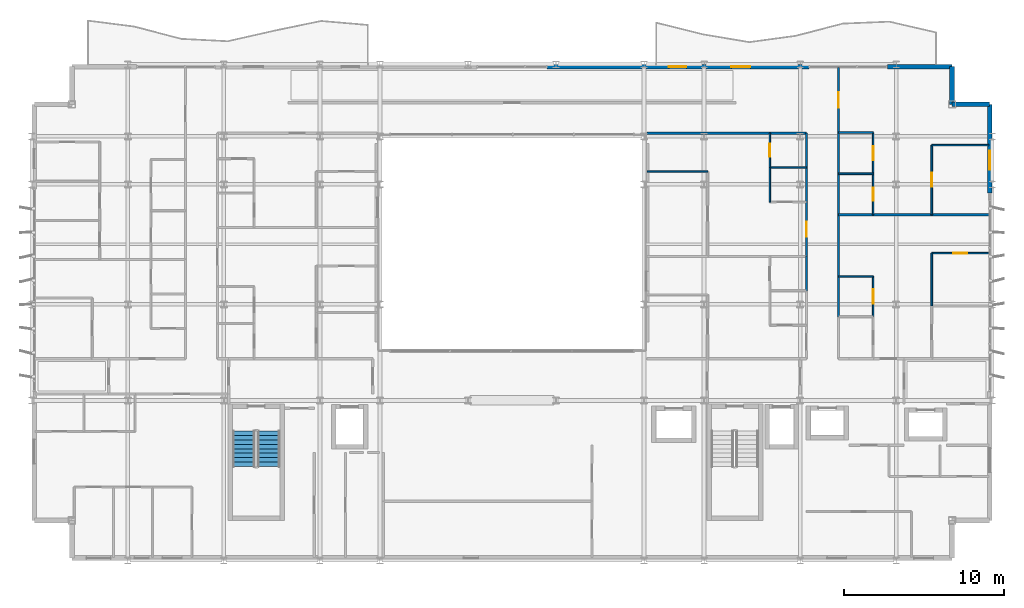
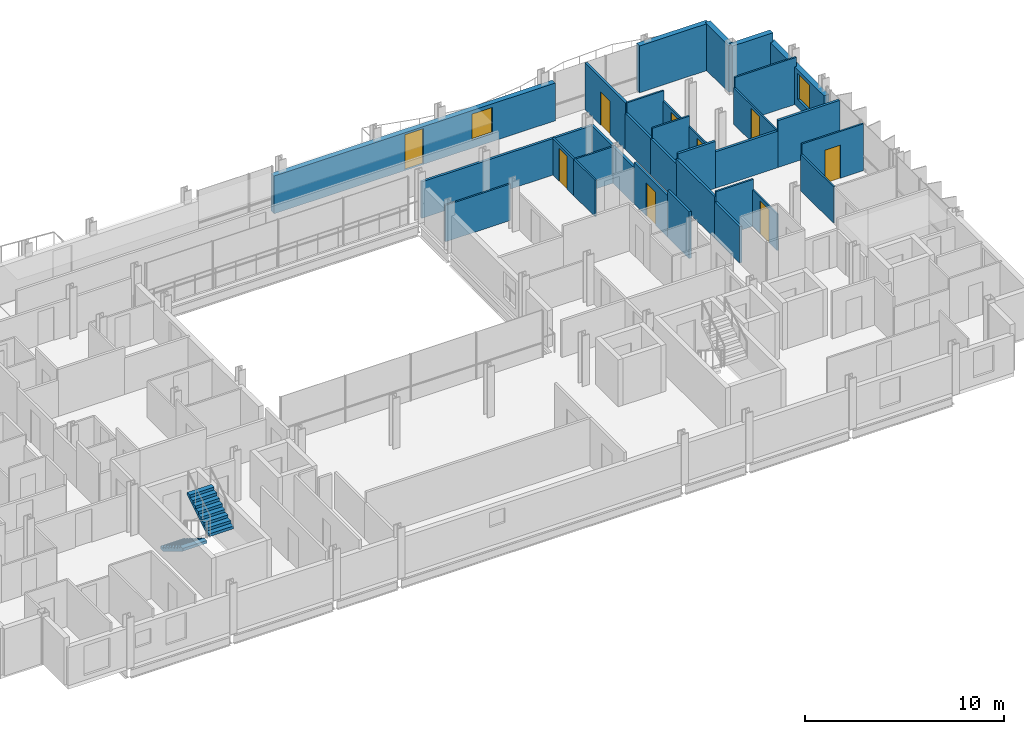
# One storey, part 32 of 38: 33 walls, 9 doors, 2 stair flights, 2 windows, 11 openings, 1 element without a shape of its own.
"""IFC4 building model written with IfcOpenShell, lengths in metres."""

from ifc_helpers import new_model, si_unit, direction, frame, frame_2d, origin, place, context, subcontext, project, spatial, polyline, rectangle, outline, extrude, material, layer, layer_set, type_object, element, fill, aggregate, save


model = new_model("IFC4")

# Units and contexts
model_context = context("Model", 3, precision=1e-05, world=origin(), true_north=direction((0.0, 1.0)))
body_context = subcontext(model_context, "Body", "Model", "MODEL_VIEW")
ifc_project = project(units=[si_unit("LENGTHUNIT", "METRE"), si_unit("AREAUNIT", "SQUARE_METRE"), si_unit("VOLUMEUNIT", "CUBIC_METRE"), si_unit("PLANEANGLEUNIT", "RADIAN"), si_unit("MASSUNIT", "GRAM", prefix="KILO")], contexts=[model_context])

# Site, building, storey
site_placement = place(None, origin())
site = spatial("IfcSite", under=ifc_project, at=site_placement, CompositionType="ELEMENT")
building_placement = place(site_placement, origin())
building = spatial("IfcBuilding", under=site, at=building_placement, Name="Brevholm Reach", CompositionType="ELEMENT")
storey_placement = place(building_placement, frame((0.0, 0.0, 128.300048828125)))
storey = spatial("IfcBuildingStorey", under=building, at=storey_placement, Name="L38", CompositionType="ELEMENT", Elevation=128.300048828125)

# Walls
ifc_material_1 = material(Name="Concrete C40/50", Category="concrete")
ifc_layer_1 = layer(ifc_material_1, 0.300048828125)
ifc_layer_set_1 = layer_set([ifc_layer_1], Name="Concrete C40/50")
wall_type_1 = type_object("IfcWallType", Name="WAL-EXT-300", PredefinedType="STANDARD", material=ifc_layer_set_1)
for number, where, z_axis, x_axis, name in (
    (1, (59.85009765625, 28.5, 0.0), (0.0, 0.0, 1.0), (-1.0, 0.0, 0.0), "L38 Facade Wall WAL-L38-CNE1"),
    (2, (57.5, 28.5, 0.0), (0.0, 0.0, 1.0), (0.0, 1.0, 0.0), "L38 Facade Wall WAL-L38-CNE2"),
):
    element("IfcWall", number, at=place(storey_placement, frame(where, z_axis=z_axis, x_axis=x_axis)), inside=storey, type_object=wall_type_1, Name=name, PredefinedType="STANDARD", context=body_context, shape_type="SweptSolid", body=[
        extrude(rectangle(XDim=2.35009765625, YDim=0.300048828125, at=frame_2d((1.175048828125, 0.0))), origin(), (0.0, 0.0, 1.0), 2.8798828125),
    ])

# Wall, opening, window
wall_1_placement = place(storey_placement, frame((59.85009765625, 22.949951171875, 0.0), z_axis=(0.0, 0.0, 1.0), x_axis=(0.0, 1.0, 0.0)))
wall_1 = element("IfcWall", 3, at=wall_1_placement, inside=storey, type_object=wall_type_1, Name="L38 Facade Wall WAL-L38-E-N", PredefinedType="STANDARD", context=body_context, shape_type="SweptSolid", body=[
    extrude(rectangle(XDim=5.550048828125, YDim=0.300048828125, at=frame_2d((2.77490234375, 0.0))), origin(), (0.0, 0.0, 1.0), 2.32177734375),
])
opening_1_placement = place(wall_1_placement, frame((1.449951171875, 0.0, 0.501953125)))
opening_1 = element("IfcOpeningElement", 4, at=opening_1_placement, cuts=wall_1, Name="Opening WN-08", PredefinedType="OPENING", context=body_context, shape_type="SweptSolid", body=[
    extrude(rectangle(XDim=1.199951171875, YDim=1.60009765625, at=frame_2d((0.60009765625, 0.800048828125))), frame((0.0, 0.159912109375, 0.0), z_axis=(0.0, -1.0, 0.0), x_axis=(1.0, 0.0, 0.0)), (0.0, 0.0, 1.0), 0.320068359375),
])
ifc_material_2 = material(Name="Dark Anodised Aluminium and Solar-Control IGU Glass", Category="aluminium")
window_type = type_object("IfcWindowType", Name="WIN-RES-1200", PartitioningType="SINGLE_PANEL", PredefinedType="WINDOW", material=ifc_material_2)
window_1_placement = place(opening_1_placement, origin())
window_1 = element("IfcWindow", 5, at=window_1_placement, inside=storey, type_object=window_type, Name="L38 Window WIN-L38-EN-1", OverallHeight=1.60009765625, OverallWidth=1.199951171875, PartitioningType="SINGLE_PANEL", PredefinedType="WINDOW", context=body_context, shape_type="SweptSolid", body=[
    extrude(rectangle(XDim=1.199951171875, YDim=1.60009765625, at=frame_2d((0.60009765625, 0.800048828125))), frame((0.0, 0.030029296875, 0.0), z_axis=(0.0, -1.0, 0.0), x_axis=(1.0, 0.0, 0.0)), (0.0, 0.0, 1.0), 0.06005859375),
])
fill(opening_1, window_1)

# Wall
wall_2_placement = place(storey_placement, frame((53.449951171875, 30.85009765625, 0.0), z_axis=(0.0, 0.0, 1.0), x_axis=(1.0, 0.0, 0.0)))
element("IfcWall", 6, at=wall_2_placement, inside=storey, type_object=wall_type_1, Name="L38 Facade Wall WAL-L38-NP-E0", PredefinedType="STANDARD", context=body_context, shape_type="SweptSolid", body=[
    extrude(rectangle(XDim=4.050048828125, YDim=0.300048828125, at=frame_2d((2.02490234375, 0.0))), origin(), (0.0, 0.0, 1.0), 2.8798828125),
])

# Wall, openings, door, window
wall_3_placement = place(storey_placement, frame((32.199951171875, 30.85009765625, 0.0), z_axis=(0.0, 0.0, 1.0), x_axis=(1.0, 0.0, 0.0)))
wall_3 = element("IfcWall", 7, at=wall_3_placement, inside=storey, type_object=wall_type_1, Name="L38 Facade Wall WAL-L38-NP-ER", PredefinedType="STANDARD", context=body_context, shape_type="SweptSolid", body=[
    extrude(rectangle(XDim=16.35009765625, YDim=0.300048828125, at=frame_2d((8.175048828125, 0.0))), origin(), (0.0, 0.0, 1.0), 2.32177734375),
])
opening_2_placement = place(wall_3_placement, frame((7.60009765625, 0.0, 0.0)))
opening_2 = element("IfcOpeningElement", 8, at=opening_2_placement, cuts=wall_3, Name="Opening BD-01", PredefinedType="OPENING", context=body_context, shape_type="SweptSolid", body=[
    extrude(rectangle(XDim=1.10009765625, YDim=2.199951171875, at=frame_2d((0.550048828125, 1.10009765625))), frame((0.0, 0.159912109375, 0.0), z_axis=(0.0, -1.0, 0.0), x_axis=(1.0, 0.0, 0.0)), (0.0, 0.0, 1.0), 0.320068359375),
])
opening_3_placement = place(wall_3_placement, frame((11.5, 0.0, 0.501953125)))
opening_3 = element("IfcOpeningElement", 9, at=opening_3_placement, cuts=wall_3, Name="Opening WN-08", PredefinedType="OPENING", context=body_context, shape_type="SweptSolid", body=[
    extrude(rectangle(XDim=1.199951171875, YDim=1.60009765625, at=frame_2d((0.60009765625, 0.800048828125))), frame((0.0, 0.159912109375, 0.0), z_axis=(0.0, -1.0, 0.0), x_axis=(1.0, 0.0, 0.0)), (0.0, 0.0, 1.0), 0.320068359375),
])
ifc_material_3 = material(Name="Dark Anodised Aluminium and Triple-Glazed Glass", Category="aluminium")
door_type_1 = type_object("IfcDoorType", Name="DOR-BALC-1100", OperationType="NOTDEFINED", PredefinedType="DOOR", material=ifc_material_3)
door_1_placement = place(opening_2_placement, origin())
door_1 = element("IfcDoor", 10, at=door_1_placement, inside=storey, type_object=door_type_1, Name="L38 Exterior Door DOR-L38-BL-NE", OperationType="SINGLE_SWING_LEFT", OverallHeight=2.199951171875, OverallWidth=1.10009765625, PredefinedType="DOOR", context=body_context, shape_type="SweptSolid", body=[
    extrude(rectangle(XDim=1.10009765625, YDim=2.199951171875, at=frame_2d((0.550048828125, 1.10009765625))), frame((0.0, 0.02490234375, 0.0), z_axis=(0.0, -1.0, 0.0), x_axis=(1.0, 0.0, 0.0)), (0.0, 0.0, 1.0), 0.050048828125),
])
fill(opening_2, door_1)
window_2_placement = place(opening_3_placement, origin())
window_2 = element("IfcWindow", 11, at=window_2_placement, inside=storey, type_object=window_type, Name="L38 Window WIN-L38-NP-ER1", OverallHeight=1.60009765625, OverallWidth=1.199951171875, PartitioningType="SINGLE_PANEL", PredefinedType="WINDOW", context=body_context, shape_type="SweptSolid", body=[
    extrude(rectangle(XDim=1.199951171875, YDim=1.60009765625, at=frame_2d((0.60009765625, 0.800048828125))), frame((0.0, 0.030029296875, 0.0), z_axis=(0.0, -1.0, 0.0), x_axis=(1.0, 0.0, 0.0)), (0.0, 0.0, 1.0), 0.06005859375),
])
fill(opening_3, window_2)

# Wall
ifc_material_4 = material(Name="Moisture-Resistant Acoustic Gypsum Stud Partition 100 mm", Category="gypsum")
ifc_layer_2 = layer(ifc_material_4, 0.10009765625)
ifc_layer_set_2 = layer_set([ifc_layer_2], Name="Moisture-Resistant Acoustic Gypsum Stud Partition 100 mm")
wall_type_2 = type_object("IfcWallType", Name="WAL-PRT-100", PredefinedType="PARTITIONING", material=ifc_layer_set_2)
wall_4_placement = place(storey_placement, frame((46.112060546875, 24.550048828125, 0.0), z_axis=(0.0, 0.0, 1.0), x_axis=(1.0, 0.0, 0.0)))
element("IfcWall", 12, at=wall_4_placement, inside=storey, type_object=wall_type_2, Name="L38 Internal Partition 129", PredefinedType="PARTITIONING", context=body_context, shape_type="SweptSolid", body=[
    extrude(rectangle(XDim=2.283935546875, YDim=0.10009765625, at=frame_2d((1.14208984375, 0.0))), origin(), (0.0, 0.0, 1.0), 2.24267578125),
])

# Wall, opening, door
wall_5_placement = place(storey_placement, frame((46.112060546875, 24.550048828125, 0.0), z_axis=(0.0, 0.0, 1.0), x_axis=(0.0, 1.0, 0.0)))
wall_5 = element("IfcWall", 13, at=wall_5_placement, inside=storey, type_object=wall_type_2, Name="L38 Internal Partition 130", PredefinedType="PARTITIONING", context=body_context, shape_type="SweptSolid", body=[
    extrude(rectangle(XDim=2.14599609375, YDim=0.10009765625, at=frame_2d((1.072998046875, 0.0))), origin(), (0.0, 0.0, 1.0), 2.24267578125),
])
opening_4_placement = place(wall_5_placement, frame((0.6630859375, 0.0, 0.0)))
opening_4 = element("IfcOpeningElement", 14, at=opening_4_placement, cuts=wall_5, Name="Opening ID-03", PredefinedType="OPENING", context=body_context, shape_type="SweptSolid", body=[
    extrude(rectangle(XDim=0.820068359375, YDim=2.02001953125, at=frame_2d((0.41015625, 1.010009765625))), frame((0.0, 0.06005859375, 0.0), z_axis=(0.0, -1.0, 0.0), x_axis=(1.0, 0.0, 0.0)), (0.0, 0.0, 1.0), 0.1201171875),
])
ifc_material_5 = material(Name="Moisture-Resistant Painted Timber Internal Bathroom Door", Category="wood")
door_type_2 = type_object("IfcDoorType", Name="DOR-BATH-820", OperationType="NOTDEFINED", PredefinedType="DOOR", material=ifc_material_5)
door_2_placement = place(opening_4_placement, origin())
door_2 = element("IfcDoor", 15, at=door_2_placement, inside=storey, type_object=door_type_2, Name="L38 Internal Door 048", OperationType="SINGLE_SWING_RIGHT", OverallHeight=2.02001953125, OverallWidth=0.820068359375, PredefinedType="DOOR", context=body_context, shape_type="SweptSolid", body=[
    extrude(rectangle(XDim=0.820068359375, YDim=2.02001953125, at=frame_2d((0.41015625, 1.010009765625))), frame((0.0, 0.02490234375, 0.0), z_axis=(0.0, -1.0, 0.0), x_axis=(1.0, 0.0, 0.0)), (0.0, 0.0, 1.0), 0.050048828125),
])
fill(opening_4, door_2)

# Walls
wall_6_placement = place(storey_placement, frame((46.112060546875, 22.39404296875, 0.0), z_axis=(0.0, 0.0, 1.0), x_axis=(0.0, 1.0, 0.0)))
element("IfcWall", 16, at=wall_6_placement, inside=storey, type_object=wall_type_2, Name="L38 Internal Partition 132", PredefinedType="PARTITIONING", context=body_context, shape_type="SweptSolid", body=[
    extrude(rectangle(XDim=2.15185546875, YDim=0.10009765625, at=frame_2d((1.075927734375, 0.0))), origin(), (0.0, 0.0, 1.0), 2.24267578125),
])
wall_7_placement = place(storey_placement, frame((38.449951171875, 24.300048828125, 0.0), z_axis=(0.0, 0.0, 1.0), x_axis=(1.0, 0.0, 0.0)))
element("IfcWall", 17, at=wall_7_placement, inside=storey, type_object=wall_type_2, Name="L38 Internal Partition 134", PredefinedType="PARTITIONING", context=body_context, shape_type="SweptSolid", body=[
    extrude(rectangle(XDim=3.781005859375, YDim=0.10009765625, at=frame_2d((1.890625, 0.0))), origin(), (0.0, 0.0, 1.0), 2.24267578125),
])

# Wall, opening, door
wall_8_placement = place(storey_placement, frame((52.56201171875, 15.23388671875, 0.0), z_axis=(0.0, 0.0, 1.0), x_axis=(0.0, 1.0, 0.0)))
wall_8 = element("IfcWall", 18, at=wall_8_placement, inside=storey, type_object=wall_type_2, Name="L38 Internal Partition 137", PredefinedType="PARTITIONING", context=body_context, shape_type="SweptSolid", body=[
    extrude(rectangle(XDim=2.51611328125, YDim=0.10009765625, at=frame_2d((1.258056640625, 0.0))), origin(), (0.0, 0.0, 1.0), 2.24267578125),
])
opening_5_placement = place(wall_8_placement, frame((0.818115234375, 0.0, 0.0)))
opening_5 = element("IfcOpeningElement", 19, at=opening_5_placement, cuts=wall_8, Name="Opening ID-01", PredefinedType="OPENING", context=body_context, shape_type="SweptSolid", body=[
    extrude(rectangle(XDim=0.8798828125, YDim=2.0400390625, at=frame_2d((0.43994140625, 1.02001953125))), frame((0.0, 0.06005859375, 0.0), z_axis=(0.0, -1.0, 0.0), x_axis=(1.0, 0.0, 0.0)), (0.0, 0.0, 1.0), 0.1201171875),
])
ifc_material_6 = material(Name="Lacquered Ash Solid-Core Acoustic Internal Door", Category="timber")
door_type_3 = type_object("IfcDoorType", Name="DOR-INT-880", OperationType="NOTDEFINED", PredefinedType="DOOR", material=ifc_material_6)
door_3_placement = place(opening_5_placement, origin())
door_3 = element("IfcDoor", 20, at=door_3_placement, inside=storey, type_object=door_type_3, Name="L38 Internal Door 052", OperationType="SINGLE_SWING_RIGHT", OverallHeight=2.0400390625, OverallWidth=0.8798828125, PredefinedType="DOOR", context=body_context, shape_type="SweptSolid", body=[
    extrude(rectangle(XDim=0.8798828125, YDim=2.0400390625, at=frame_2d((0.43994140625, 1.02001953125))), frame((0.0, 0.02490234375, 0.0), z_axis=(0.0, -1.0, 0.0), x_axis=(1.0, 0.0, 0.0)), (0.0, 0.0, 1.0), 0.050048828125),
])
fill(opening_5, door_3)

# Wall
wall_9_placement = place(storey_placement, frame((50.404052734375, 17.75, 0.0), z_axis=(0.0, 0.0, 1.0), x_axis=(1.0, 0.0, 0.0)))
element("IfcWall", 21, at=wall_9_placement, inside=storey, type_object=wall_type_2, Name="L38 Internal Partition 138", PredefinedType="PARTITIONING", context=body_context, shape_type="SweptSolid", body=[
    extrude(rectangle(XDim=2.157958984375, YDim=0.10009765625, at=frame_2d((1.0791015625, 0.0))), origin(), (0.0, 0.0, 1.0), 2.8798828125),
])

# Wall, opening, door
wall_10_placement = place(storey_placement, frame((56.22802734375, 19.199951171875, 0.0), z_axis=(0.0, 0.0, 1.0), x_axis=(1.0, 0.0, 0.0)))
wall_10 = element("IfcWall", 22, at=wall_10_placement, inside=storey, type_object=wall_type_2, Name="L38 Internal Partition 141", PredefinedType="PARTITIONING", context=body_context, shape_type="SweptSolid", body=[
    extrude(rectangle(XDim=3.572021484375, YDim=0.10009765625, at=frame_2d((1.7861328125, 0.0))), origin(), (0.0, 0.0, 1.0), 2.8798828125),
])
opening_6_placement = place(wall_10_placement, frame((1.345947265625, 0.0, 0.0)))
opening_6 = element("IfcOpeningElement", 23, at=opening_6_placement, cuts=wall_10, Name="Opening ID-01", PredefinedType="OPENING", context=body_context, shape_type="SweptSolid", body=[
    extrude(rectangle(XDim=0.8798828125, YDim=2.0400390625, at=frame_2d((0.43994140625, 1.02001953125))), frame((0.0, 0.06005859375, 0.0), z_axis=(0.0, -1.0, 0.0), x_axis=(1.0, 0.0, 0.0)), (0.0, 0.0, 1.0), 0.1201171875),
])
door_4_placement = place(opening_6_placement, origin())
door_4 = element("IfcDoor", 24, at=door_4_placement, inside=storey, type_object=door_type_3, Name="L38 Internal Door 054", OperationType="SINGLE_SWING_RIGHT", OverallHeight=2.0400390625, OverallWidth=0.8798828125, PredefinedType="DOOR", context=body_context, shape_type="SweptSolid", body=[
    extrude(rectangle(XDim=0.8798828125, YDim=2.0400390625, at=frame_2d((0.43994140625, 1.02001953125))), frame((0.0, 0.02490234375, 0.0), z_axis=(0.0, -1.0, 0.0), x_axis=(1.0, 0.0, 0.0)), (0.0, 0.0, 1.0), 0.050048828125),
])
fill(opening_6, door_4)

# Walls
wall_11_placement = place(storey_placement, frame((56.22802734375, 15.904052734375, 0.0), z_axis=(0.0, 0.0, 1.0), x_axis=(0.0, 1.0, 0.0)))
element("IfcWall", 25, at=wall_11_placement, inside=storey, type_object=wall_type_2, Name="L38 Internal Partition 142", PredefinedType="PARTITIONING", context=body_context, shape_type="SweptSolid", body=[
    extrude(rectangle(XDim=3.2958984375, YDim=0.10009765625, at=frame_2d((1.64794921875, 0.0))), origin(), (0.0, 0.0, 1.0), 2.24267578125),
])
wall_12_placement = place(storey_placement, frame((50.404052734375, 24.1640625, 0.0), z_axis=(0.0, 0.0, 1.0), x_axis=(1.0, 0.0, 0.0)))
element("IfcWall", 26, at=wall_12_placement, inside=storey, type_object=wall_type_2, Name="L38 Internal Partition 146", PredefinedType="PARTITIONING", context=body_context, shape_type="SweptSolid", body=[
    extrude(rectangle(XDim=2.157958984375, YDim=0.10009765625, at=frame_2d((1.0791015625, 0.0))), origin(), (0.0, 0.0, 1.0), 2.8798828125),
])

# Wall, opening, door
wall_13_placement = place(storey_placement, frame((52.56201171875, 21.60400390625, 0.0), z_axis=(0.0, 0.0, 1.0), x_axis=(0.0, 1.0, 0.0)))
wall_13 = element("IfcWall", 27, at=wall_13_placement, inside=storey, type_object=wall_type_2, Name="L38 Internal Partition 147", PredefinedType="PARTITIONING", context=body_context, shape_type="SweptSolid", body=[
    extrude(rectangle(XDim=2.56005859375, YDim=0.10009765625, at=frame_2d((1.280029296875, 0.0))), origin(), (0.0, 0.0, 1.0), 2.24267578125),
])
opening_7_placement = place(wall_13_placement, frame((0.8701171875, 0.0, 0.0)))
opening_7 = element("IfcOpeningElement", 28, at=opening_7_placement, cuts=wall_13, Name="Opening ID-03", PredefinedType="OPENING", context=body_context, shape_type="SweptSolid", body=[
    extrude(rectangle(XDim=0.820068359375, YDim=2.02001953125, at=frame_2d((0.41015625, 1.010009765625))), frame((0.0, 0.06005859375, 0.0), z_axis=(0.0, -1.0, 0.0), x_axis=(1.0, 0.0, 0.0)), (0.0, 0.0, 1.0), 0.1201171875),
])
door_5_placement = place(opening_7_placement, origin())
door_5 = element("IfcDoor", 29, at=door_5_placement, inside=storey, type_object=door_type_2, Name="L38 Internal Door 055", OperationType="SINGLE_SWING_LEFT", OverallHeight=2.02001953125, OverallWidth=0.820068359375, PredefinedType="DOOR", context=body_context, shape_type="SweptSolid", body=[
    extrude(rectangle(XDim=0.820068359375, YDim=2.02001953125, at=frame_2d((0.41015625, 1.010009765625))), frame((0.0, 0.02490234375, 0.0), z_axis=(0.0, -1.0, 0.0), x_axis=(1.0, 0.0, 0.0)), (0.0, 0.0, 1.0), 0.050048828125),
])
fill(opening_7, door_5)

wall_14_placement = place(storey_placement, frame((52.56201171875, 24.16796875, 0.0), z_axis=(0.0, 0.0, 1.0), x_axis=(0.0, 1.0, 0.0)))
wall_14 = element("IfcWall", 30, at=wall_14_placement, inside=storey, type_object=wall_type_2, Name="L38 Internal Partition 148", PredefinedType="PARTITIONING", context=body_context, shape_type="SweptSolid", body=[
    extrude(rectangle(XDim=2.572021484375, YDim=0.10009765625, at=frame_2d((1.2861328125, 0.0))), origin(), (0.0, 0.0, 1.0), 2.24267578125),
])
opening_8_placement = place(wall_14_placement, frame((0.845947265625, 0.0, 0.0)))
opening_8 = element("IfcOpeningElement", 31, at=opening_8_placement, cuts=wall_14, Name="Opening ID-01", PredefinedType="OPENING", context=body_context, shape_type="SweptSolid", body=[
    extrude(rectangle(XDim=0.8798828125, YDim=2.0400390625, at=frame_2d((0.43994140625, 1.02001953125))), frame((0.0, 0.06005859375, 0.0), z_axis=(0.0, -1.0, 0.0), x_axis=(1.0, 0.0, 0.0)), (0.0, 0.0, 1.0), 0.1201171875),
])
door_6_placement = place(opening_8_placement, origin())
door_6 = element("IfcDoor", 32, at=door_6_placement, inside=storey, type_object=door_type_3, Name="L38 Internal Door 056", OperationType="SINGLE_SWING_RIGHT", OverallHeight=2.0400390625, OverallWidth=0.8798828125, PredefinedType="DOOR", context=body_context, shape_type="SweptSolid", body=[
    extrude(rectangle(XDim=0.8798828125, YDim=2.0400390625, at=frame_2d((0.43994140625, 1.02001953125))), frame((0.0, 0.02490234375, 0.0), z_axis=(0.0, -1.0, 0.0), x_axis=(1.0, 0.0, 0.0)), (0.0, 0.0, 1.0), 0.050048828125),
])
fill(opening_8, door_6)

# Walls
wall_15_placement = place(storey_placement, frame((50.404052734375, 26.739990234375, 0.0), z_axis=(0.0, 0.0, 1.0), x_axis=(1.0, 0.0, 0.0)))
element("IfcWall", 33, at=wall_15_placement, inside=storey, type_object=wall_type_2, Name="L38 Internal Partition 149", PredefinedType="PARTITIONING", context=body_context, shape_type="SweptSolid", body=[
    extrude(rectangle(XDim=2.157958984375, YDim=0.10009765625, at=frame_2d((1.0791015625, 0.0))), origin(), (0.0, 0.0, 1.0), 2.8798828125),
])
wall_16_placement = place(storey_placement, frame((56.22802734375, 25.949951171875, 0.0), z_axis=(0.0, 0.0, 1.0), x_axis=(1.0, 0.0, 0.0)))
element("IfcWall", 34, at=wall_16_placement, inside=storey, type_object=wall_type_2, Name="L38 Internal Partition 150", PredefinedType="PARTITIONING", context=body_context, shape_type="SweptSolid", body=[
    extrude(rectangle(XDim=3.572021484375, YDim=0.10009765625, at=frame_2d((1.7861328125, 0.0))), origin(), (0.0, 0.0, 1.0), 2.8798828125),
])

# Wall, opening, door
wall_17_placement = place(storey_placement, frame((56.22802734375, 21.60400390625, 0.0), z_axis=(0.0, 0.0, 1.0), x_axis=(0.0, 1.0, 0.0)))
wall_17 = element("IfcWall", 35, at=wall_17_placement, inside=storey, type_object=wall_type_2, Name="L38 Internal Partition 151", PredefinedType="PARTITIONING", context=body_context, shape_type="SweptSolid", body=[
    extrude(rectangle(XDim=4.345947265625, YDim=0.10009765625, at=frame_2d((2.1728515625, 0.0))), origin(), (0.0, 0.0, 1.0), 2.24267578125),
])
opening_9_placement = place(wall_17_placement, frame((1.73291015625, 0.0, 0.0)))
opening_9 = element("IfcOpeningElement", 36, at=opening_9_placement, cuts=wall_17, Name="Opening ID-01", PredefinedType="OPENING", context=body_context, shape_type="SweptSolid", body=[
    extrude(rectangle(XDim=0.8798828125, YDim=2.0400390625, at=frame_2d((0.43994140625, 1.02001953125))), frame((0.0, 0.06005859375, 0.0), z_axis=(0.0, -1.0, 0.0), x_axis=(1.0, 0.0, 0.0)), (0.0, 0.0, 1.0), 0.1201171875),
])
door_7_placement = place(opening_9_placement, origin())
door_7 = element("IfcDoor", 37, at=door_7_placement, inside=storey, type_object=door_type_3, Name="L38 Internal Door 057", OperationType="SINGLE_SWING_LEFT", OverallHeight=2.0400390625, OverallWidth=0.8798828125, PredefinedType="DOOR", context=body_context, shape_type="SweptSolid", body=[
    extrude(rectangle(XDim=0.8798828125, YDim=2.0400390625, at=frame_2d((0.43994140625, 1.02001953125))), frame((0.0, 0.02490234375, 0.0), z_axis=(0.0, -1.0, 0.0), x_axis=(1.0, 0.0, 0.0)), (0.0, 0.0, 1.0), 0.050048828125),
])
fill(opening_9, door_7)

# Walls
ifc_material_7 = material(Name="Twin-Stud Acoustic Fire-Rated Gypsum Partition 140 mm", Category="gypsum")
ifc_layer_3 = layer(ifc_material_7, 0.139892578125)
ifc_layer_set_3 = layer_set([ifc_layer_3], Name="Twin-Stud Acoustic Fire-Rated Gypsum Partition 140 mm")
wall_type_3 = type_object("IfcWallType", Name="WAL-PRT-140", PredefinedType="PARTITIONING", material=ifc_layer_set_3)
wall_18_placement = place(storey_placement, frame((48.39990234375, 16.838623046875, 0.0), z_axis=(0.0, 0.0, 1.0), x_axis=(0.0, 1.0, 0.0)))
element("IfcWall", 38, at=wall_18_placement, inside=storey, type_object=wall_type_3, Name="L38 Internal Partition 043", PredefinedType="PARTITIONING", context=body_context, shape_type="SweptSolid", body=[
    extrude(rectangle(XDim=2.172607421875, YDim=0.139892578125, at=frame_2d((1.08642578125, 0.0))), origin(), (0.0, 0.0, 1.0), 2.8798828125),
])
wall_19_placement = place(storey_placement, frame((48.39990234375, 24.538818359375, 0.0), z_axis=(0.0, 0.0, 1.0), x_axis=(0.0, 1.0, 0.0)))
element("IfcWall", 39, at=wall_19_placement, inside=storey, type_object=wall_type_3, Name="L38 Internal Partition 046", PredefinedType="PARTITIONING", context=body_context, shape_type="SweptSolid", body=[
    extrude(rectangle(XDim=2.16845703125, YDim=0.139892578125, at=frame_2d((1.084228515625, 0.0))), origin(), (0.0, 0.0, 1.0), 2.24267578125),
])
wall_20_placement = place(storey_placement, frame((48.39990234375, 22.3828125, 0.0), z_axis=(0.0, 0.0, 1.0), x_axis=(0.0, 1.0, 0.0)))
element("IfcWall", 40, at=wall_20_placement, inside=storey, type_object=wall_type_3, Name="L38 Internal Partition 047", PredefinedType="PARTITIONING", context=body_context, shape_type="SweptSolid", body=[
    extrude(rectangle(XDim=2.174560546875, YDim=0.139892578125, at=frame_2d((1.08740234375, 0.0))), origin(), (0.0, 0.0, 1.0), 2.24267578125),
])

# Wall, opening, door
wall_21_placement = place(storey_placement, frame((48.39990234375, 18.99267578125, 0.0), z_axis=(0.0, 0.0, 1.0), x_axis=(0.0, 1.0, 0.0)))
wall_21 = element("IfcWall", 41, at=wall_21_placement, inside=storey, type_object=wall_type_3, Name="L38 Internal Partition 048", PredefinedType="PARTITIONING", context=body_context, shape_type="SweptSolid", body=[
    extrude(rectangle(XDim=3.40869140625, YDim=0.139892578125, at=frame_2d((1.704345703125, 0.0))), origin(), (0.0, 0.0, 1.0), 2.551513671875),
])
opening_10_placement = place(wall_21_placement, frame((1.229248046875, 0.0, 0.0)))
opening_10 = element("IfcOpeningElement", 42, at=opening_10_placement, cuts=wall_21, Name="Opening ID-30", PredefinedType="OPENING", context=body_context, shape_type="SweptSolid", body=[
    extrude(rectangle(XDim=0.949951171875, YDim=2.050048828125, at=frame_2d((0.47509765625, 1.02490234375))), frame((0.0, 0.079833984375, 0.0), z_axis=(0.0, -1.0, 0.0), x_axis=(1.0, 0.0, 0.0)), (0.0, 0.0, 1.0), 0.159912109375),
])
ifc_material_8 = material(Name="European Oak Veneered Solid-Core Fire Entrance Door", Category="timber")
door_type_4 = type_object("IfcDoorType", Name="DOR-FLT-FD30S", OperationType="NOTDEFINED", PredefinedType="DOOR", material=ifc_material_8)
door_8_placement = place(opening_10_placement, origin())
door_8 = element("IfcDoor", 43, at=door_8_placement, inside=storey, type_object=door_type_4, Name="L38 Internal Door 018", OperationType="SINGLE_SWING_RIGHT", OverallHeight=2.050048828125, OverallWidth=0.949951171875, PredefinedType="DOOR", context=body_context, shape_type="SweptSolid", body=[
    extrude(rectangle(XDim=0.949951171875, YDim=2.050048828125, at=frame_2d((0.47509765625, 1.02490234375))), frame((0.0, 0.02490234375, 0.0), z_axis=(0.0, -1.0, 0.0), x_axis=(1.0, 0.0, 0.0)), (0.0, 0.0, 1.0), 0.050048828125),
])
fill(opening_10, door_8)

# Walls
wall_22_placement = place(storey_placement, frame((50.39990234375, 15.22265625, 0.0), z_axis=(0.0, 0.0, 1.0), x_axis=(0.0, 1.0, 0.0)))
element("IfcWall", 44, at=wall_22_placement, inside=storey, type_object=wall_type_3, Name="L38 Internal Partition 050", PredefinedType="PARTITIONING", context=body_context, shape_type="SweptSolid", body=[
    extrude(rectangle(XDim=2.53857421875, YDim=0.139892578125, at=frame_2d((1.269287109375, 0.0))), origin(), (0.0, 0.0, 1.0), 2.24267578125),
])
wall_23_placement = place(storey_placement, frame((50.39990234375, 17.74267578125, 0.0), z_axis=(0.0, 0.0, 1.0), x_axis=(0.0, 1.0, 0.0)))
element("IfcWall", 45, at=wall_23_placement, inside=storey, type_object=wall_type_3, Name="L38 Internal Partition 051", PredefinedType="PARTITIONING", context=body_context, shape_type="SweptSolid", body=[
    extrude(rectangle(XDim=3.86865234375, YDim=0.139892578125, at=frame_2d((1.934326171875, 0.0))), origin(), (0.0, 0.0, 1.0), 2.551513671875),
])
wall_24_placement = place(storey_placement, frame((50.39990234375, 21.5927734375, 0.0), z_axis=(0.0, 0.0, 1.0), x_axis=(0.0, 1.0, 0.0)))
element("IfcWall", 46, at=wall_24_placement, inside=storey, type_object=wall_type_3, Name="L38 Internal Partition 052", PredefinedType="PARTITIONING", context=body_context, shape_type="SweptSolid", body=[
    extrude(rectangle(XDim=2.58251953125, YDim=0.139892578125, at=frame_2d((1.291259765625, 0.0))), origin(), (0.0, 0.0, 1.0), 2.24267578125),
])
wall_25_placement = place(storey_placement, frame((50.39990234375, 24.15673828125, 0.0), z_axis=(0.0, 0.0, 1.0), x_axis=(0.0, 1.0, 0.0)))
element("IfcWall", 47, at=wall_25_placement, inside=storey, type_object=wall_type_3, Name="L38 Internal Partition 053", PredefinedType="PARTITIONING", context=body_context, shape_type="SweptSolid", body=[
    extrude(rectangle(XDim=2.594482421875, YDim=0.139892578125, at=frame_2d((1.29736328125, 0.0))), origin(), (0.0, 0.0, 1.0), 2.24267578125),
])

# Wall, opening, door
wall_26_placement = place(storey_placement, frame((50.39990234375, 26.732666015625, 0.0), z_axis=(0.0, 0.0, 1.0), x_axis=(0.0, 1.0, 0.0)))
wall_26 = element("IfcWall", 48, at=wall_26_placement, inside=storey, type_object=wall_type_3, Name="L38 Internal Partition 054", PredefinedType="PARTITIONING", context=body_context, shape_type="SweptSolid", body=[
    extrude(rectangle(XDim=4.0673828125, YDim=0.139892578125, at=frame_2d((2.03369140625, 0.0))), origin(), (0.0, 0.0, 1.0), 2.8798828125),
])
opening_11_placement = place(wall_26_placement, frame((1.55859375, 0.0, 0.0)))
opening_11 = element("IfcOpeningElement", 49, at=opening_11_placement, cuts=wall_26, Name="Opening ID-30", PredefinedType="OPENING", context=body_context, shape_type="SweptSolid", body=[
    extrude(rectangle(XDim=0.949951171875, YDim=2.050048828125, at=frame_2d((0.47509765625, 1.02490234375))), frame((0.0, 0.079833984375, 0.0), z_axis=(0.0, -1.0, 0.0), x_axis=(1.0, 0.0, 0.0)), (0.0, 0.0, 1.0), 0.159912109375),
])
door_9_placement = place(opening_11_placement, origin())
door_9 = element("IfcDoor", 50, at=door_9_placement, inside=storey, type_object=door_type_4, Name="L38 Internal Door 019", OperationType="SINGLE_SWING_LEFT", OverallHeight=2.050048828125, OverallWidth=0.949951171875, PredefinedType="DOOR", context=body_context, shape_type="SweptSolid", body=[
    extrude(rectangle(XDim=0.949951171875, YDim=2.050048828125, at=frame_2d((0.47509765625, 1.02490234375))), frame((0.0, 0.02490234375, 0.0), z_axis=(0.0, -1.0, 0.0), x_axis=(1.0, 0.0, 0.0)), (0.0, 0.0, 1.0), 0.050048828125),
])
fill(opening_11, door_9)

# Walls
wall_27_placement = place(storey_placement, frame((46.1005859375, 26.699951171875, 0.0), z_axis=(0.0, 0.0, 1.0), x_axis=(1.0, 0.0, 0.0)))
element("IfcWall", 51, at=wall_27_placement, inside=storey, type_object=wall_type_3, Name="L38 Internal Partition 056", PredefinedType="PARTITIONING", context=body_context, shape_type="SweptSolid", body=[
    extrude(rectangle(XDim=2.29541015625, YDim=0.139892578125, at=frame_2d((1.147705078125, 0.0))), origin(), (0.0, 0.0, 1.0), 2.24267578125),
])
wall_28_placement = place(storey_placement, frame((38.438720703125, 26.699951171875, 0.0), z_axis=(0.0, 0.0, 1.0), x_axis=(1.0, 0.0, 0.0)))
element("IfcWall", 52, at=wall_28_placement, inside=storey, type_object=wall_type_3, Name="L38 Internal Partition 057", PredefinedType="PARTITIONING", context=body_context, shape_type="SweptSolid", body=[
    extrude(rectangle(XDim=7.6806640625, YDim=0.139892578125, at=frame_2d((3.84033203125, 0.0))), origin(), (0.0, 0.0, 1.0), 2.24267578125),
])
wall_29_placement = place(storey_placement, frame((50.404052734375, 21.60009765625, 0.0), z_axis=(0.0, 0.0, 1.0), x_axis=(1.0, 0.0, 0.0)))
element("IfcWall", 53, at=wall_29_placement, inside=storey, type_object=wall_type_3, Name="L38 Internal Partition 143", PredefinedType="PARTITIONING", context=body_context, shape_type="SweptSolid", body=[
    extrude(rectangle(XDim=2.169189453125, YDim=0.139892578125, at=frame_2d((1.08447265625, 0.0))), origin(), (0.0, 0.0, 1.0), 2.8798828125),
])
wall_30_placement = place(storey_placement, frame((56.216796875, 21.60009765625, 0.0), z_axis=(0.0, 0.0, 1.0), x_axis=(1.0, 0.0, 0.0)))
element("IfcWall", 54, at=wall_30_placement, inside=storey, type_object=wall_type_3, Name="L38 Internal Partition 144", PredefinedType="PARTITIONING", context=body_context, shape_type="SweptSolid", body=[
    extrude(rectangle(XDim=3.583251953125, YDim=0.139892578125, at=frame_2d((1.79150390625, 0.0))), origin(), (0.0, 0.0, 1.0), 2.8798828125),
])
wall_31_placement = place(storey_placement, frame((52.5546875, 21.60009765625, 0.0), z_axis=(0.0, 0.0, 1.0), x_axis=(1.0, 0.0, 0.0)))
element("IfcWall", 55, at=wall_31_placement, inside=storey, type_object=wall_type_3, Name="L38 Internal Partition 145", PredefinedType="PARTITIONING", context=body_context, shape_type="SweptSolid", body=[
    extrude(rectangle(XDim=3.6806640625, YDim=0.139892578125, at=frame_2d((1.84033203125, 0.0))), origin(), (0.0, 0.0, 1.0), 2.24267578125),
])

# Stair, stair flights
ifc_material_9 = material(Name="Precast Concrete C40/50", Category="concrete")
stair_type = type_object("IfcStairType", Name="STR-ESC-1400", PredefinedType="DOUBLE_RETURN_STAIR", material=ifc_material_9)
stair_placement = place(storey_placement, origin())
stair = element("IfcStair", 56, at=stair_placement, inside=storey, type_object=stair_type, Name="L38 ST-1", PredefinedType="DOUBLE_RETURN_STAIR")
ifc_material_10 = material(Name="Precast Concrete C40/50", Category="concrete")
ifc_layer_4 = layer(ifc_material_10, 0.18505859375)
ifc_layer_set_4 = layer_set([ifc_layer_4], Name="Precast Concrete C40/50")
stair_flight_type = type_object("IfcStairFlightType", Name="STF-PRC-185", PredefinedType="STRAIGHT", material=ifc_layer_set_4)
stair_flight_1_placement = place(storey_placement, frame((13.25, 8.10009765625, 0.0), z_axis=(0.0, 0.0, 1.0), x_axis=(0.0, -1.0, 0.0)))
stair_flight_1 = element("IfcStairFlight", 57, at=stair_flight_1_placement, type_object=stair_flight_type, Name="ST-1 flight 1", NumberOfRisers=9, NumberOfTreads=8, PredefinedType="STRAIGHT", RiserHeight=0.172222222, TreadLength=0.28, context=body_context, shape_type="SweptSolid", body=[
    extrude(outline(polyline([(0.0, 0.0), (0.0, 0.172119140625), (0.280029296875, 0.172119140625), (0.280029296875, 0.344482421875), (0.56005859375, 0.344482421875), (0.56005859375, 0.5166015625), (0.840087890625, 0.5166015625), (0.840087890625, 0.68896484375), (1.1201171875, 0.68896484375), (1.1201171875, 0.861083984375), (1.39990234375, 0.861083984375), (1.39990234375, 1.033447265625), (1.679931640625, 1.033447265625), (1.679931640625, 1.20556640625), (1.9599609375, 1.20556640625), (1.9599609375, 1.377685546875), (2.239990234375, 1.377685546875), (2.239990234375, 1.550048828125), (2.239990234375, 1.201904296875), (0.2861328125, 0.0), (0.0, 0.0)])), frame((0.0, 0.699951171875, 0.0), z_axis=(0.0, -1.0, 0.0), x_axis=(1.0, 0.0, 0.0)), (0.0, 0.0, 1.0), 1.39990234375),
])
stair_flight_2_placement = place(storey_placement, frame((14.800048828125, 5.860107421875, 1.550048828125), z_axis=(0.0, 0.0, 1.0), x_axis=(0.0, 1.0, 0.0)))
stair_flight_2 = element("IfcStairFlight", 58, at=stair_flight_2_placement, type_object=stair_flight_type, Name="ST-1 flight 2", NumberOfRisers=9, NumberOfTreads=8, PredefinedType="STRAIGHT", RiserHeight=0.172222222, TreadLength=0.28, context=body_context, shape_type="SweptSolid", body=[
    extrude(outline(polyline([(0.0, 0.0), (0.0, 0.172119140625), (0.280029296875, 0.172119140625), (0.280029296875, 0.344482421875), (0.56005859375, 0.344482421875), (0.56005859375, 0.5166015625), (0.840087890625, 0.5166015625), (0.840087890625, 0.68896484375), (1.1201171875, 0.68896484375), (1.1201171875, 0.861083984375), (1.39990234375, 0.861083984375), (1.39990234375, 1.033447265625), (1.679931640625, 1.033447265625), (1.679931640625, 1.20556640625), (1.9599609375, 1.20556640625), (1.9599609375, 1.377685546875), (2.239990234375, 1.377685546875), (2.239990234375, 1.550048828125), (2.239990234375, 1.201904296875), (0.2861328125, 0.0), (0.0, 0.0)])), frame((0.0, 0.699951171875, 0.0), z_axis=(0.0, -1.0, 0.0), x_axis=(1.0, 0.0, 0.0)), (0.0, 0.0, 1.0), 1.39990234375),
])
aggregate(stair, [stair_flight_1, stair_flight_2])

save(model, "model.ifc")
